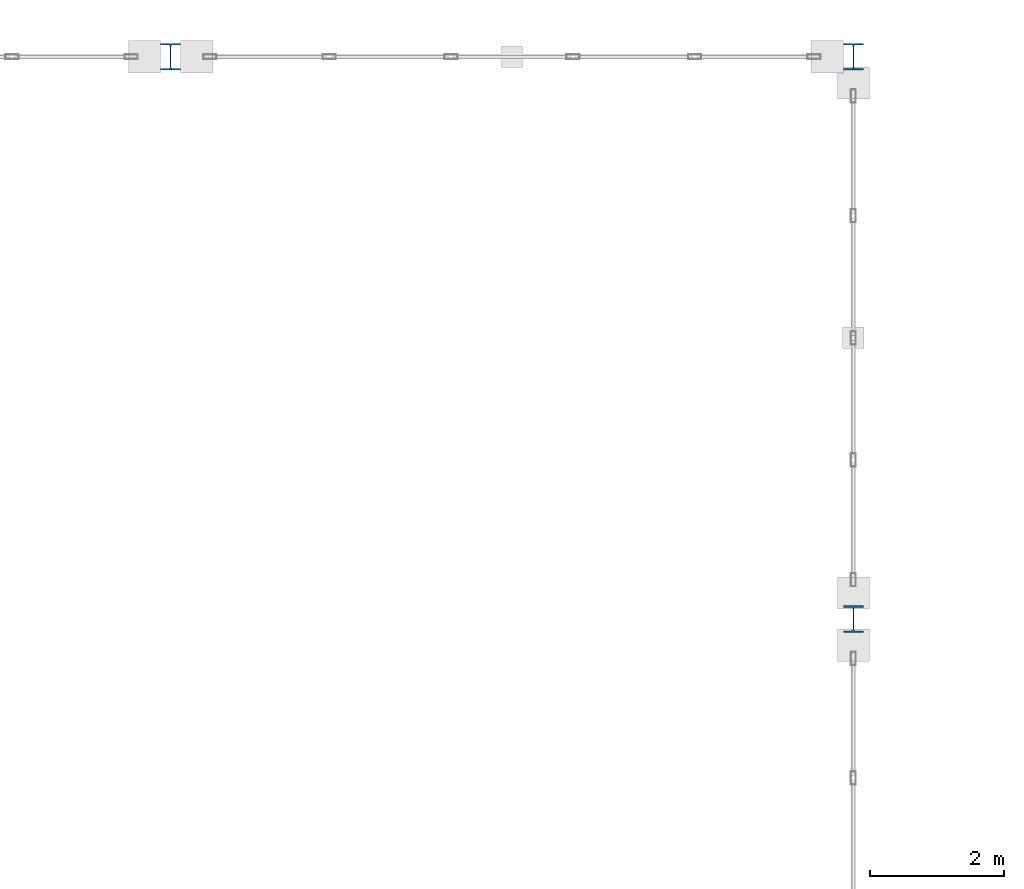
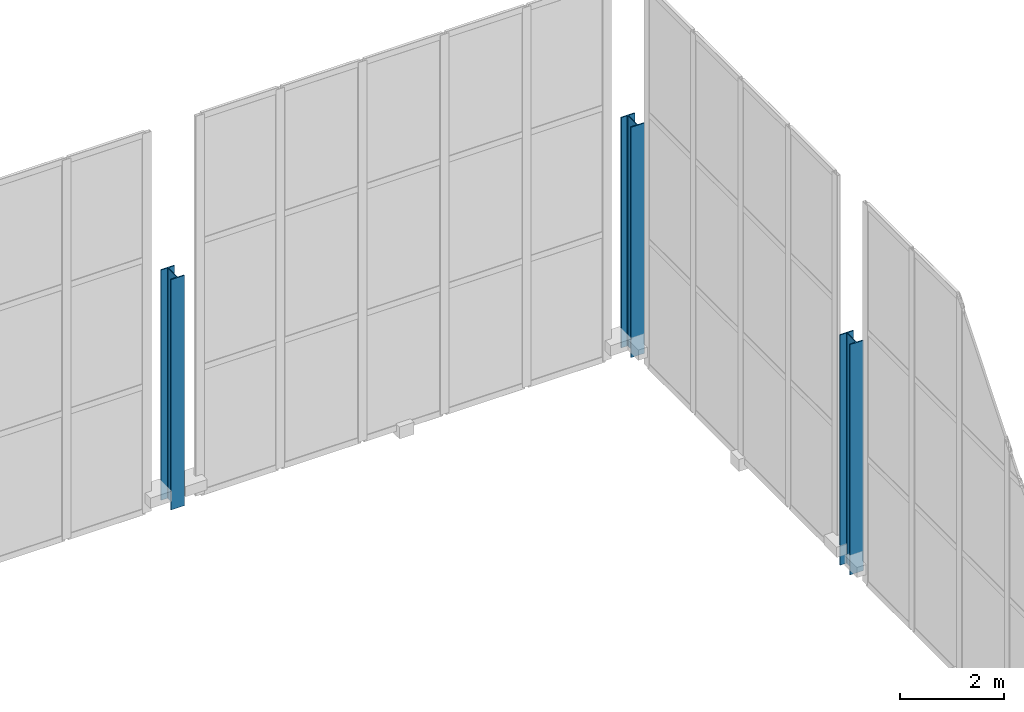
# One storey, part 20 of 175: 3 columns.
"""IFC4 building model written with IfcOpenShell, lengths in metres."""

from ifc_helpers import new_model, si_unit, direction, frame, origin, origin_2d, place, context, subcontext, project, spatial, i_section, extrude, material, material_profile, profile_set, type_object, element, save


model = new_model("IFC4")

# Units and contexts
model_context = context("Model", 3, precision=1e-05, world=origin(), true_north=direction((0.0, 1.0)))
body_context = subcontext(model_context, "Body", "Model", "MODEL_VIEW")
ifc_project = project(units=[si_unit("LENGTHUNIT", "METRE"), si_unit("AREAUNIT", "SQUARE_METRE"), si_unit("VOLUMEUNIT", "CUBIC_METRE"), si_unit("PLANEANGLEUNIT", "RADIAN"), si_unit("MASSUNIT", "GRAM", prefix="KILO")], contexts=[model_context])

# Site, building, storey
site_placement = place(None, origin())
site = spatial("IfcSite", under=ifc_project, at=site_placement, CompositionType="ELEMENT")
building_placement = place(site_placement, origin())
building = spatial("IfcBuilding", under=site, at=building_placement, Name="Brelvane Convention Centre", CompositionType="ELEMENT")
storey_placement = place(building_placement, frame((0.0, 0.0, 5.39990234375)))
storey = spatial("IfcBuildingStorey", under=building, at=storey_placement, Name="L01", CompositionType="ELEMENT", Elevation=5.39990234375)

# Columns
ifc_material = material(Name="Steel E350 (350 MPa)", Category="steel")
ifc_material_profile = material_profile(ifc_material, i_section(OverallWidth=0.300048828125, OverallDepth=0.39990234375, WebThickness=0.013427734375, FlangeThickness=0.02392578125, FilletRadius=0.027099609375, at=origin_2d()), Name="WPB 400x300")
ifc_profile_set = profile_set([ifc_material_profile], Name="Steel E350 (350 MPa)")
column_type = type_object("IfcColumnType", Name="Steel Column C-ST7 (WPB 400x300)", PredefinedType="COLUMN", material=ifc_profile_set)
for number, where, z_axis, x_axis, name in (
    (1, (214.199951171875, 144.0, 0.0), (0.0, 0.0, 1.0), (1.0, 0.0, 0.0), "Column 22-Q (L01)"),
    (2, (224.39990234375, 135.60009765625, 0.0), (0.0, 0.0, 1.0), (1.0, 0.0, 0.0), "Column 23-P (L01)"),
    (3, (224.39990234375, 144.0, 0.0), (0.0, 0.0, 1.0), (1.0, 0.0, 0.0), "Column 23-Q (L01)"),
):
    element("IfcColumn", number, at=place(storey_placement, frame(where, z_axis=z_axis, x_axis=x_axis)), inside=storey, type_object=column_type, Name=name, PredefinedType="COLUMN", context=body_context, shape_type="SweptSolid", body=[
        extrude(i_section(OverallWidth=0.300048828125, OverallDepth=0.39990234375, WebThickness=0.013427734375, FlangeThickness=0.02392578125, FilletRadius=0.027099609375, at=origin_2d()), origin(), (0.0, 0.0, 1.0), 5.400146484375),
    ])

save(model, "model.ifc")
